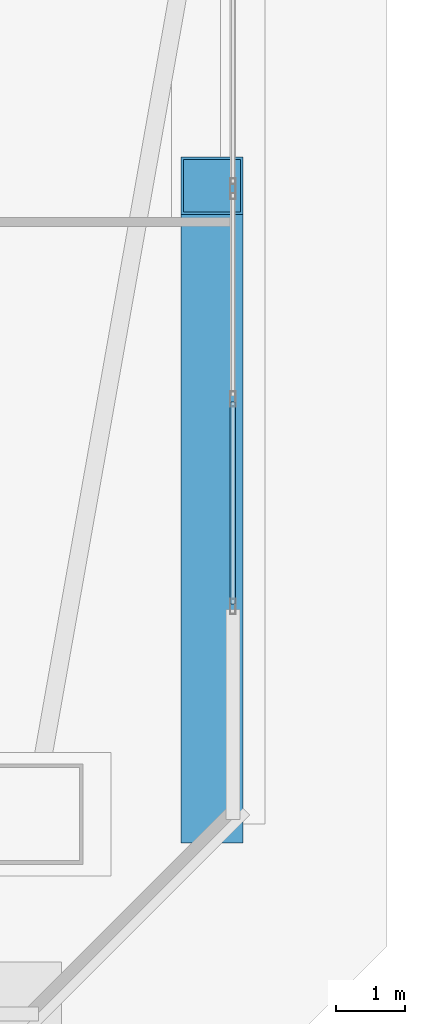
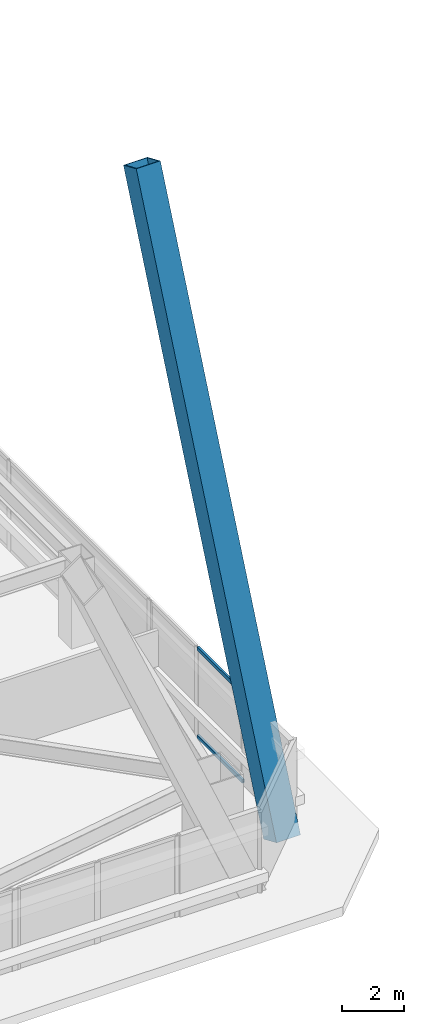
# One storey, part 15 of 67: 3 members, 1 element without a shape of its own.
"""IFC4 building model written with IfcOpenShell, lengths in metres."""

from ifc_helpers import new_model, si_unit, direction, frame, origin, origin_2d, place, context, subcontext, project, spatial, hollow_rectangle, extrude, material, material_profile, profile_set, type_object, element, aggregate, save


model = new_model("IFC4")

# Units and contexts
model_context = context("Model", 3, precision=1e-05, world=origin(), true_north=direction((0.0, 1.0)))
body_context = subcontext(model_context, "Body", "Model", "MODEL_VIEW")
ifc_project = project(units=[si_unit("LENGTHUNIT", "METRE"), si_unit("AREAUNIT", "SQUARE_METRE"), si_unit("VOLUMEUNIT", "CUBIC_METRE"), si_unit("PLANEANGLEUNIT", "RADIAN"), si_unit("MASSUNIT", "GRAM", prefix="KILO")], contexts=[model_context])

# Site, building, storey
site_placement = place(None, origin())
site = spatial("IfcSite", under=ifc_project, at=site_placement, CompositionType="ELEMENT")
building_placement = place(site_placement, origin())
building = spatial("IfcBuilding", under=site, at=building_placement, Name="Tashvorn Skyway Center", CompositionType="ELEMENT")
storey_placement = place(building_placement, frame((0.0, 0.0, 67.199951171875)))
storey = spatial("IfcBuildingStorey", under=building, at=storey_placement, Name="L17", CompositionType="ELEMENT", Elevation=67.199951171875)

# Curtain wall, members
ifc_material_1 = material(Name="Thermally broken bronze-anodized aluminium 6063-T6", Category="aluminium")
curtain_wall_type = type_object("IfcCurtainWallType", Name="CW-CW-Z2", PredefinedType="NOTDEFINED", material=ifc_material_1)
curtain_wall_placement = place(storey_placement, origin())
curtain_wall = element("IfcCurtainWall", 1, at=curtain_wall_placement, inside=storey, type_object=curtain_wall_type, Name="Tower 1 L17 East Unitised Curtain Wall Glazing Group 3", PredefinedType="NOTDEFINED")
ifc_material_profile_1 = material_profile(ifc_material_1, hollow_rectangle(XDim=0.080078125, YDim=0.14990234375, WallThickness=0.00439453125, at=origin_2d()), Name="ALU-TRAN-80x150")
ifc_profile_set_1 = profile_set([ifc_material_profile_1], Name="Thermally broken bronze-anodized aluminium 6063-T6")
member_type_1 = type_object("IfcMemberType", Name="CWT-CW-Z2", PredefinedType="USERDEFINED", material=ifc_profile_set_1)
member_1_placement = place(storey_placement, frame((62.97998046875, 19.840087890625, 0.0400390625), z_axis=(0.0, -1.0, 0.0), x_axis=(1.0, 0.0, 0.0)))
member_1 = element("IfcMember", 2, at=member_1_placement, type_object=member_type_1, Name="CW-Z2 transom 2.1", ObjectType="TRANSOM", PredefinedType="USERDEFINED", context=body_context, shape_type="SweptSolid", body=[
    extrude(hollow_rectangle(XDim=0.080078125, YDim=0.14990234375, WallThickness=0.00439453125, at=origin_2d()), origin(), (0.0, 0.0, 1.0), 2.91015625),
])
member_2_placement = place(storey_placement, frame((62.97998046875, 19.840087890625, 3.510009765625), z_axis=(0.0, -1.0, 0.0), x_axis=(1.0, 0.0, 0.0)))
member_2 = element("IfcMember", 3, at=member_2_placement, type_object=member_type_1, Name="CW-Z2 transom 2.2", ObjectType="TRANSOM", PredefinedType="USERDEFINED", context=body_context, shape_type="SweptSolid", body=[
    extrude(hollow_rectangle(XDim=0.080078125, YDim=0.14990234375, WallThickness=0.00439453125, at=origin_2d()), origin(), (0.0, 0.0, 1.0), 2.91015625),
])
aggregate(curtain_wall, [member_1, member_2])

# Member
ifc_material_2 = material(Name="Steel ASTM A572 Grade 50", Category="steel")
ifc_material_profile_2 = material_profile(ifc_material_2, hollow_rectangle(XDim=0.89990234375, YDim=0.89990234375, WallThickness=0.0400390625, at=origin_2d()), Name="BOX900x900x40")
ifc_profile_set_2 = profile_set([ifc_material_profile_2], Name="Steel ASTM A572 Grade 50")
member_type_2 = type_object("IfcMemberType", Name="MEM-MB-900", PredefinedType="BRACE", material=ifc_profile_set_2)
member_3_placement = place(storey_placement, frame((62.679931640625, 13.89990234375, -0.219970703125), z_axis=(0.0, 0.394656720236, 0.918828641898), x_axis=(-1.0, 0.0, 0.0)))
element("IfcMember", 4, at=member_3_placement, inside=storey, type_object=member_type_2, Name="Tower 1 Zone 2 E Chevron Mega-Brace L1", PredefinedType="BRACE", context=body_context, shape_type="SweptSolid", body=[
    extrude(hollow_rectangle(XDim=0.89990234375, YDim=0.89990234375, WallThickness=0.0400390625, at=origin_2d()), origin(), (0.0, 0.0, 1.0), 22.931396484375),
])

save(model, "model.ifc")
